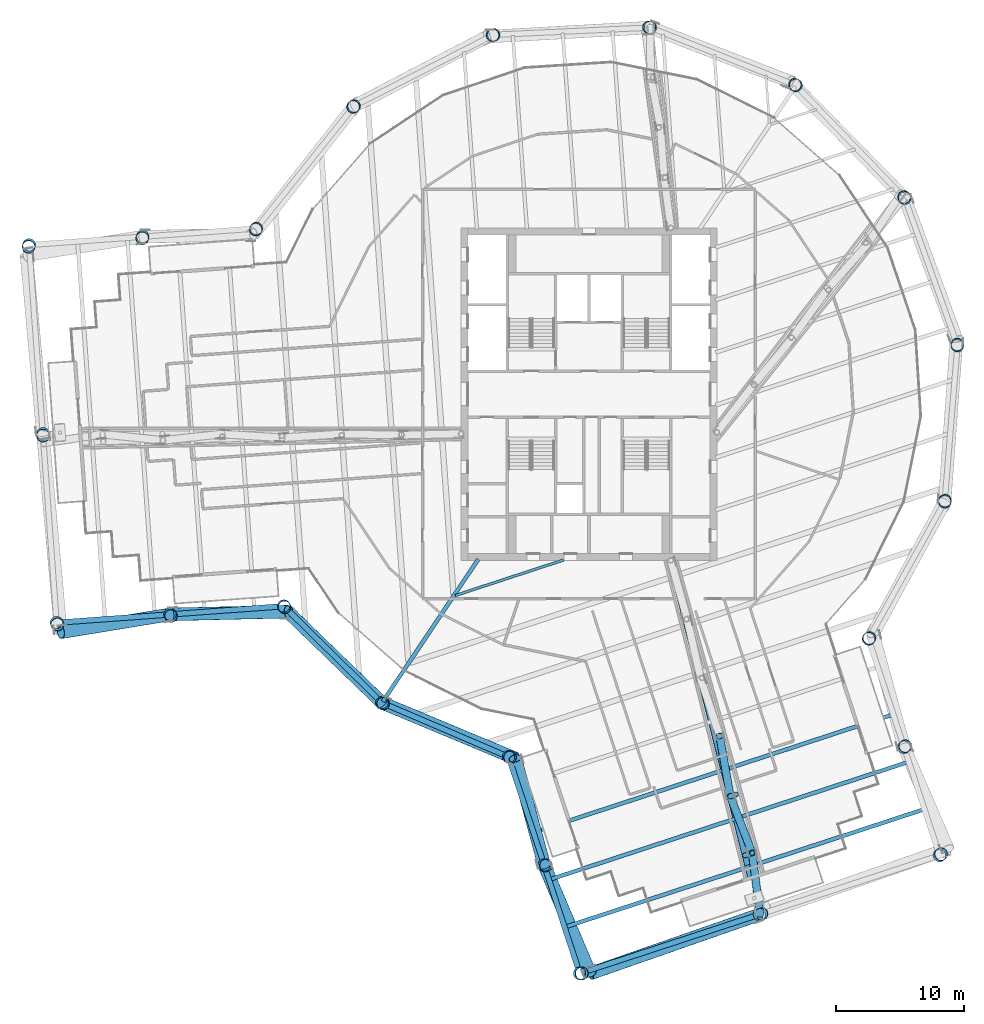
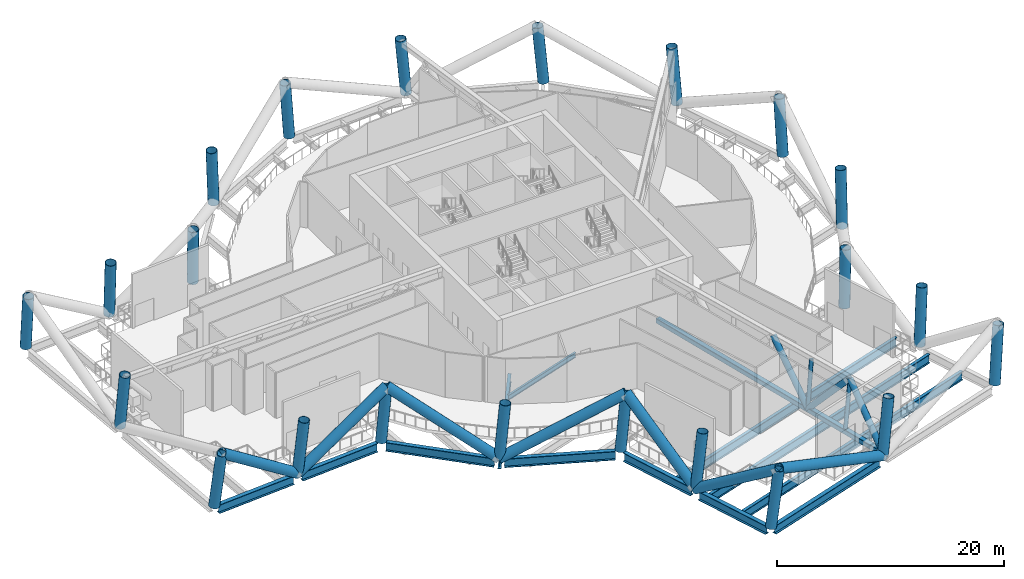
# One storey, part 1 of 33: 22 columns, 13 members, 12 beams.
"""IFC4 building model written with IfcOpenShell, lengths in metres."""

import ifcopenshell
import ifcopenshell.guid

model = None  # the IFC model being written
_history = None  # IfcOwnerHistory: only IFC2X3 demands one
_inside = {}  # id of a spatial element -> (the spatial element, [elements in it])
_under = {}  # id of a project, library or spatial element -> (it, [spatial elements below it])
_declared = {}  # id of a project -> (the project, [libraries it declares])
_typed = {}  # id of a type object -> (the type object, [elements of that type])
_made_of = {}  # id of a material, layer set ... -> (it, [elements and type objects made of it])


def new_model(schema):
    """Start an empty IFC model of exactly this schema.

    Asked for "IFC4X3", IfcOpenShell would pick the latest addendum, in which some entities
    have other attributes; the version numbers below select the first issue.
    IFC2X3 requires an IfcOwnerHistory on every rooted entity: one is made here for all.
    """
    global model, _history
    if schema == "IFC4X3":
        model = ifcopenshell.file(schema_version=(4, 3, 0, 0))
    else:
        model = ifcopenshell.file(schema=schema)
    _inside.clear()
    _under.clear()
    _declared.clear()
    _typed.clear()
    _made_of.clear()
    _history = None
    if model.schema == "IFC2X3":
        org = make("IfcOrganization", Name="unknown")
        user = make(
            "IfcPersonAndOrganization",
            ThePerson=make("IfcPerson", FamilyName="unknown"),
            TheOrganization=org,
        )
        app = make(
            "IfcApplication",
            ApplicationDeveloper=org,
            Version="unknown",
            ApplicationFullName="unknown",
            ApplicationIdentifier="unknown",
        )
        _history = make(
            "IfcOwnerHistory",
            OwningUser=user,
            OwningApplication=app,
            ChangeAction="ADDED",
            CreationDate=0,
        )
    return model


def make(cls, **values):
    """One entity of the class cls with the attributes given. An attribute that is None is left unset."""
    return model.create_entity(
        cls, **{name: value for name, value in values.items() if value is not None}
    )


def rooted(cls, **values):
    """An entity with a GlobalId (a new one), such as an element, a storey or a relation."""
    return make(cls, GlobalId=ifcopenshell.guid.new(), OwnerHistory=_history, **values)


def si_unit(unit_type, name, prefix=None):
    """IfcSIUnit, for example si_unit("LENGTHUNIT", "METRE", prefix="MILLI")."""
    return make("IfcSIUnit", UnitType=unit_type, Prefix=prefix, Name=name)


def assignment(units):
    """IfcUnitAssignment: the units of a project."""
    return None if units is None else make("IfcUnitAssignment", Units=units)


def point(xyz):
    """IfcCartesianPoint."""
    return None if xyz is None else make("IfcCartesianPoint", Coordinates=xyz)


def direction(xyz):
    """IfcDirection."""
    return None if xyz is None else make("IfcDirection", DirectionRatios=xyz)


def frame(location, z_axis=None, x_axis=None):
    """IfcAxis2Placement3D, a coordinate frame: its origin and axes. An axis left out is left unset."""
    return make(
        "IfcAxis2Placement3D",
        Location=point(location),
        Axis=direction(z_axis),
        RefDirection=direction(x_axis),
    )


def frame_2d(location, x_axis=None):
    """IfcAxis2Placement2D, a coordinate frame in the plane: its origin and x axis."""
    return make(
        "IfcAxis2Placement2D", Location=point(location), RefDirection=direction(x_axis)
    )


def origin():
    """The frame at (0, 0, 0) with its axes left unset."""
    return frame((0.0, 0.0, 0.0))


def origin_2d():
    """The frame at (0, 0) in the plane with its x axis left unset."""
    return frame_2d((0.0, 0.0))


def place(relative_to, where):
    """IfcLocalPlacement: puts the frame where relative to a parent placement (None: the world)."""
    return make(
        "IfcLocalPlacement", PlacementRelTo=relative_to, RelativePlacement=where
    )


def context(
    kind, dimensions, precision=None, world=None, true_north=None, identifier=None
):
    """IfcGeometricRepresentationContext, for example the 3D "Model" context."""
    return make(
        "IfcGeometricRepresentationContext",
        ContextIdentifier=identifier,
        ContextType=kind,
        CoordinateSpaceDimension=dimensions,
        Precision=precision,
        WorldCoordinateSystem=world,
        TrueNorth=true_north,
    )


def subcontext(parent, identifier, kind, view, scale=None):
    """IfcGeometricRepresentationSubContext, for example "Body" below "Model"."""
    return make(
        "IfcGeometricRepresentationSubContext",
        ContextIdentifier=identifier,
        ContextType=kind,
        ParentContext=parent,
        TargetScale=scale,
        TargetView=view,
    )


def project(units=None, contexts=None):
    """IfcProject with its units and contexts."""
    return rooted(
        "IfcProject",
        Name="project",
        RepresentationContexts=contexts,
        UnitsInContext=assignment(units),
    )


def spatial(cls, under=None, at=None, **own):
    """A site, building, storey or space (cls), placed at a placement, below another one or the project."""
    s = rooted(cls, ObjectPlacement=at, **own)
    if under is not None:
        _under.setdefault(under.id(), (under, []))[1].append(s)
    return s


def profile(cls, at=None, kind="AREA", **sizes):
    """A parametric profile (cls). Its sizes go by their IFC names, for example OverallWidth=200.0."""
    return make(cls, ProfileType=kind, Position=at, **sizes)


def hollow_rectangle(**sizes):
    """IfcRectangleHollowProfileDef."""
    return profile("IfcRectangleHollowProfileDef", **sizes)


def hollow_circle(**sizes):
    """IfcCircleHollowProfileDef."""
    return profile("IfcCircleHollowProfileDef", **sizes)


def i_section(**sizes):
    """IfcIShapeProfileDef."""
    return profile("IfcIShapeProfileDef", **sizes)


def extrude(swept, where, along, depth):
    """IfcExtrudedAreaSolid: the profile swept, set in the frame where, extruded along a direction by depth."""
    return make(
        "IfcExtrudedAreaSolid",
        SweptArea=swept,
        Position=where,
        ExtrudedDirection=direction(along),
        Depth=depth,
    )


def shape(context_of_items, identifier, shape_type, items):
    """IfcShapeRepresentation: the items that make up one representation, for example the "Body"."""
    return make(
        "IfcShapeRepresentation",
        ContextOfItems=context_of_items,
        RepresentationIdentifier=identifier,
        RepresentationType=shape_type,
        Items=items,
    )


def material(Name=None, Category=None):
    """IfcMaterial."""
    return make("IfcMaterial", Name=Name, Category=Category)


def material_profile(
    of_material, cross_section, Name=None, Category=None, Priority=None
):
    """IfcMaterialProfile: a cross section and its material."""
    return make(
        "IfcMaterialProfile",
        Name=Name,
        Material=of_material,
        Profile=cross_section,
        Priority=Priority,
        Category=Category,
    )


def profile_set(profiles, Name=None, composite=None):
    """IfcMaterialProfileSet."""
    return make(
        "IfcMaterialProfileSet",
        Name=Name,
        MaterialProfiles=profiles,
        CompositeProfile=composite,
    )


def made_of(thing, what):
    """Note that an element or type object is made of a material, layer set ...; save() writes the relation."""
    if what is not None:
        _made_of.setdefault(what.id(), (what, []))[1].append(thing)
    return thing


def type_object(cls, material=None, **own):
    """A type object (cls), such as IfcWallType, which elements share."""
    return made_of(rooted(cls, **own), material)


def element(
    cls,
    number,
    at=None,
    inside=None,
    cuts=None,
    type_object=None,
    material=None,
    context=None,
    identifier="Body",
    shape_type=None,
    held_by="IfcProductDefinitionShape",
    body=None,
    shapes=None,
    **own,
):
    """One element of the class cls, such as IfcWall. Its Tag is "e" and its number.

    at: its placement. inside: the storey or other place that contains it. cuts: it is an
    opening in that element (IfcRelVoidsElement). A single representation is given by context,
    identifier, shape_type and body (its items); several are given by shapes. held_by: the class
    of the entity that holds the representations. save() writes the other relations.
    """
    e = rooted(cls, Tag="e%d" % number, ObjectPlacement=at, **own)
    if body is not None:
        shapes = [shape(context, identifier, shape_type, body)]
    if shapes is not None:
        e.Representation = make(held_by, Representations=shapes)
    if inside is not None:
        _inside.setdefault(inside.id(), (inside, []))[1].append(e)
    if cuts is not None:
        rooted(
            "IfcRelVoidsElement", RelatingBuildingElement=cuts, RelatedOpeningElement=e
        )
    if type_object is not None:
        _typed.setdefault(type_object.id(), (type_object, []))[1].append(e)
    return made_of(e, material)


def aggregate(whole, parts):
    """IfcRelAggregates: a whole, such as a stair, and the parts it consists of."""
    return rooted("IfcRelAggregates", RelatingObject=whole, RelatedObjects=parts)


def save(model, path):
    """Write the relations noted so far, then the file.

    IfcRelAggregates (storeys below a building ...), IfcRelContainedInSpatialStructure (elements
    in a storey), IfcRelDefinesByType, IfcRelAssociatesMaterial and IfcRelDeclares: one each for
    every whole, place, type object, material and project.
    """
    for whole, parts in _under.values():
        aggregate(whole, parts)
    for where, things in _inside.values():
        rooted(
            "IfcRelContainedInSpatialStructure",
            RelatedElements=things,
            RelatingStructure=where,
        )
    for kind, things in _typed.values():
        rooted("IfcRelDefinesByType", RelatedObjects=things, RelatingType=kind)
    for what, things in _made_of.values():
        rooted("IfcRelAssociatesMaterial", RelatedObjects=things, RelatingMaterial=what)
    for by, libraries in _declared.values():
        rooted("IfcRelDeclares", RelatingContext=by, RelatedDefinitions=libraries)
    model.write(path)


model = new_model("IFC4")

# Units and contexts
model_context = context("Model", 3, precision=1e-05, world=origin(), true_north=direction((0.0, 1.0)))
body_context = subcontext(model_context, "Body", "Model", "MODEL_VIEW")
ifc_project = project(units=[si_unit("LENGTHUNIT", "METRE"), si_unit("AREAUNIT", "SQUARE_METRE"), si_unit("VOLUMEUNIT", "CUBIC_METRE"), si_unit("PLANEANGLEUNIT", "RADIAN"), si_unit("MASSUNIT", "GRAM", prefix="KILO")], contexts=[model_context])

# Site, building, storey
site_placement = place(None, origin())
site = spatial("IfcSite", under=ifc_project, at=site_placement, CompositionType="ELEMENT")
building_placement = place(site_placement, origin())
building = spatial("IfcBuilding", under=site, at=building_placement, Name="Tarsis Ring Headquarters", CompositionType="ELEMENT")
storey_placement = place(building_placement, frame((0.0, 0.0, 302.0)))
storey = spatial("IfcBuildingStorey", under=building, at=storey_placement, Name="L71", CompositionType="ELEMENT", Elevation=302.0)

# Columns
ifc_material = material(Name="Structural steel S355", Category="steel")
ifc_material_profile_1 = material_profile(ifc_material, hollow_circle(Radius=0.508056640625, WallThickness=0.0400390625, at=origin_2d()), Name="CHS 1016x40")
ifc_profile_set_1 = profile_set([ifc_material_profile_1], Name="Structural steel S355")
column_type = type_object("IfcColumnType", Name="XC Exo column CHS 1016x40", PredefinedType="COLUMN", material=ifc_profile_set_1)
for number, where, z_axis, x_axis, name in (
    (1, (-16.175048828125, -24.12841796875, 0.016845703125), (0.073119601882, -0.048094275486, 0.996162870461), (0.549530965682, 0.835473349519, 0.0), "Exo column XC6 F1"),
    (2, (-6.27099609375, -28.363525390625, 0.016845703125), (0.085632166215, -0.018137227018, 0.996161720357), (0.207207142282, 0.978297091986, 0.0), "Exo column XC6 AK"),
):
    element("IfcColumn", number, at=place(storey_placement, frame(where, z_axis=z_axis, x_axis=x_axis)), inside=storey, type_object=column_type, Name=name, PredefinedType="COLUMN", context=body_context, shape_type="SweptSolid", body=[
        extrude(hollow_circle(Radius=0.508056640625, WallThickness=0.0400390625, at=origin_2d()), origin(), (0.0, 0.0, 1.0), 5.989990234375),
    ])
column_1_placement = place(storey_placement, frame((-3.495361328125, -36.822265625, 0.021240234375), z_axis=(0.110757229165, -0.009528379274, 0.993801814335), x_axis=(0.08571281365, 0.996319885165, 0.0)))
element("IfcColumn", 3, at=column_1_placement, inside=storey, type_object=column_type, Name="Exo column XC6 AI1", PredefinedType="COLUMN", context=body_context, shape_type="SweptSolid", body=[
    extrude(hollow_circle(Radius=0.508056640625, WallThickness=0.0400390625, at=origin_2d()), origin(), (0.0, 0.0, 1.0), 5.99560546875),
])
column_2_placement = place(storey_placement, frame((-0.7197265625, -45.281005859375, 0.025634765625), z_axis=(0.135738987142, -0.000935009495, 0.990744191569), x_axis=(0.006888126493, 0.999976276575, 0.0)))
element("IfcColumn", 4, at=column_2_placement, inside=storey, type_object=column_type, Name="Exo column XC6 AT1", PredefinedType="COLUMN", context=body_context, shape_type="SweptSolid", body=[
    extrude(hollow_circle(Radius=0.508056640625, WallThickness=0.0400390625, at=origin_2d()), origin(), (0.0, 0.0, 1.0), 6.005615234375),
])
column_3_placement = place(storey_placement, frame((13.342529296875, -40.667236328125, 0.024169921875), z_axis=(0.12165653703, 0.041162292034, 0.991718383773), x_axis=(-0.320499999287, 0.947248515679, 0.0)))
element("IfcColumn", 5, at=column_3_placement, inside=storey, type_object=column_type, Name="Exo column XC6 AT2", PredefinedType="COLUMN", context=body_context, shape_type="SweptSolid", body=[
    extrude(hollow_circle(Radius=0.508056640625, WallThickness=0.0400390625, at=origin_2d()), origin(), (0.0, 0.0, 1.0), 6.00244140625),
])
column_4_placement = place(storey_placement, frame((27.405029296875, -36.05322265625, 0.025634765625), z_axis=(0.107322998746, 0.083094018726, 0.990745758503), x_axis=(-0.612197356124, 0.790705000082, 0.0)))
element("IfcColumn", 6, at=column_4_placement, inside=storey, type_object=column_type, Name="Exo column XC6 AT3", PredefinedType="COLUMN", context=body_context, shape_type="SweptSolid", body=[
    extrude(hollow_circle(Radius=0.508056640625, WallThickness=0.0400390625, at=origin_2d()), origin(), (0.0, 0.0, 1.0), 6.005615234375),
])
column_5_placement = place(storey_placement, frame((24.629638671875, -27.594970703125, 0.021240234375), z_axis=(0.082293850664, 0.074801486229, 0.993796991242), x_axis=(-0.672618118132, 0.739989775038, 0.0)))
element("IfcColumn", 7, at=column_5_placement, inside=storey, type_object=column_type, Name="Exo column XC6 AO1", PredefinedType="COLUMN", context=body_context, shape_type="SweptSolid", body=[
    extrude(hollow_circle(Radius=0.508056640625, WallThickness=0.0400390625, at=origin_2d()), origin(), (0.0, 0.0, 1.0), 5.99560546875),
])
for number, where, z_axis, x_axis, name in (
    (8, (21.854248046875, -19.13671875, 0.016845703125), (0.057060871871, 0.066394400199, 0.996160549572), (-0.758401503633, 0.651787664264, 0.0), "Exo column XC6 AJ"),
    (9, (27.79931640625, -8.42724609375, 0.016845703125), (0.02461771301, 0.084001831975, 0.996161463032), (-0.959639377435, 0.281233471116, 0.0), "Exo column XC6 R1"),
    (10, (28.801513671875, 3.780517578125, 0.016845703125), (-0.012186573045, 0.086691775471, 0.996160641414), (-0.990263599556, -0.139204897164, 0.0), "Exo column XC6 R2"),
    (11, (24.6826171875, 15.316162109375, 0.016845703125), (-0.046830783325, 0.073934761489, 0.996162902731), (-0.844791006454, -0.535096398245, 0.0), "Exo column XC6 R3"),
    (12, (16.175048828125, 24.12841796875, 0.016845703125), (-0.073119601882, 0.048094275486, 0.996162870461), (-0.549530965682, -0.835473349519, 0.0), "Exo column XC6 R4"),
    (13, (4.791748046875, 28.650634765625, 0.016845703125), (-0.086487873194, 0.013653834835, 0.996159334938), (-0.15593866996, -0.987766739271, 0.0), "Exo column XC6 R5"),
    (14, (-7.44384765625, 28.07861328125, 0.016845703125), (-0.084409391426, -0.0231911848, 0.996161243769), (0.264929219316, -0.964267861516, 0.0), "Exo column XC6 R6"),
    (15, (-18.355712890625, 22.51416015625, 0.016845703125), (-0.0673317957, -0.055960384683, 0.996160059746), (0.639176466902, -0.769060104386, 0.0), "Exo column XC6 R7"),
    (16, (-26.00390625, 12.946533203125, 0.016845703125), (-0.038312217489, -0.078743834243, 0.996158412382), (0.899215293892, -0.437506405931, 0.0), "Exo column XC6 BJ"),
):
    element("IfcColumn", number, at=place(storey_placement, frame(where, z_axis=z_axis, x_axis=x_axis)), inside=storey, type_object=column_type, Name=name, PredefinedType="COLUMN", context=body_context, shape_type="SweptSolid", body=[
        extrude(hollow_circle(Radius=0.508056640625, WallThickness=0.0400390625, at=origin_2d()), origin(), (0.0, 0.0, 1.0), 5.989990234375),
    ])
column_6_placement = place(storey_placement, frame((-34.8828125, 12.2998046875, 0.021240234375), z_axis=(-0.036036606183, -0.105218746189, 0.993795944078), x_axis=(0.946051799948, -0.3240154191, 0.0)))
element("IfcColumn", 17, at=column_6_placement, inside=storey, type_object=column_type, Name="Exo column XC6 BO1", PredefinedType="COLUMN", context=body_context, shape_type="SweptSolid", body=[
    extrude(hollow_circle(Radius=0.508056640625, WallThickness=0.0400390625, at=origin_2d()), origin(), (0.0, 0.0, 1.0), 5.99560546875),
])
column_7_placement = place(storey_placement, frame((-43.76171875, 11.65283203125, 0.025634765625), z_axis=(-0.033741697018, -0.131470660428, 0.990745660263), x_axis=(0.96860841172, -0.24859152187, 0.0)))
element("IfcColumn", 18, at=column_7_placement, inside=storey, type_object=column_type, Name="Exo column XC6 BT3", PredefinedType="COLUMN", context=body_context, shape_type="SweptSolid", body=[
    extrude(hollow_circle(Radius=0.508056640625, WallThickness=0.0400390625, at=origin_2d()), origin(), (0.0, 0.0, 1.0), 6.005615234375),
])
column_8_placement = place(storey_placement, frame((-42.68701171875, -3.10791015625, 0.024169921875), z_axis=(0.010493999095, -0.127961709896, 0.991723588901), x_axis=(0.996654137565, 0.081734509692, 0.0)))
element("IfcColumn", 19, at=column_8_placement, inside=storey, type_object=column_type, Name="Exo column XC6 BT2", PredefinedType="COLUMN", context=body_context, shape_type="SweptSolid", body=[
    extrude(hollow_circle(Radius=0.508056640625, WallThickness=0.0400390625, at=origin_2d()), origin(), (0.0, 0.0, 1.0), 6.002197265625),
])
column_9_placement = place(storey_placement, frame((-41.6123046875, -17.868896484375, 0.025634765625), z_axis=(0.054677787411, -0.124234437418, 0.990745246834), x_axis=(0.915275281844, 0.402828944398, 0.0)))
element("IfcColumn", 20, at=column_9_placement, inside=storey, type_object=column_type, Name="Exo column XC6 BT1", PredefinedType="COLUMN", context=body_context, shape_type="SweptSolid", body=[
    extrude(hollow_circle(Radius=0.508056640625, WallThickness=0.0400390625, at=origin_2d()), origin(), (0.0, 0.0, 1.0), 6.005615234375),
])
column_10_placement = place(storey_placement, frame((-32.733642578125, -17.22216796875, 0.021240234375), z_axis=(0.052650284784, -0.097930344088, 0.993799574974), x_axis=(0.880776666228, 0.47353190413, 0.0)))
element("IfcColumn", 21, at=column_10_placement, inside=storey, type_object=column_type, Name="Exo column XC6 BI1", PredefinedType="COLUMN", context=body_context, shape_type="SweptSolid", body=[
    extrude(hollow_circle(Radius=0.508056640625, WallThickness=0.0400390625, at=origin_2d()), origin(), (0.0, 0.0, 1.0), 5.99560546875),
])
column_11_placement = place(storey_placement, frame((-23.855224609375, -16.575439453125, 0.016845703125), z_axis=(0.05062106367, -0.071448248482, 0.996158951022), x_axis=(0.815960441001, 0.578107739717, 0.0)))
element("IfcColumn", 22, at=column_11_placement, inside=storey, type_object=column_type, Name="Exo column XC6 BK", PredefinedType="COLUMN", context=body_context, shape_type="SweptSolid", body=[
    extrude(hollow_circle(Radius=0.508056640625, WallThickness=0.0400390625, at=origin_2d()), origin(), (0.0, 0.0, 1.0), 5.989990234375),
])

# Beams
ifc_material_profile_2 = material_profile(ifc_material, i_section(OverallWidth=0.209228515625, OverallDepth=0.533447265625, WebThickness=0.01025390625, FlangeThickness=0.015625, at=origin_2d()), Name="W21x62")
ifc_profile_set_2 = profile_set([ifc_material_profile_2], Name="Structural steel S355")
beam_type_1 = type_object("IfcBeamType", Name="FB Floor beam W21x62", PredefinedType="JOIST", material=ifc_profile_set_2)
beam_1_placement = place(storey_placement, frame((-10.438720703125, -15.7373046875, -0.566650390625), z_axis=(0.950186847139, 0.311680855242, 0.0), x_axis=(-0.311680855242, 0.950186847139, 0.0)))
element("IfcBeam", 23, at=beam_1_placement, inside=storey, type_object=beam_type_1, Name="Floor beam FB3", PredefinedType="JOIST", context=body_context, shape_type="SweptSolid", body=[
    extrude(i_section(OverallWidth=0.209228515625, OverallDepth=0.533447265625, WebThickness=0.01025390625, FlangeThickness=0.015625, at=origin_2d()), origin(), (0.0, 0.0, 1.0), 8.882568359375),
])
ifc_material_profile_3 = material_profile(ifc_material, i_section(OverallWidth=0.309814453125, OverallDepth=0.949951171875, WebThickness=0.0244140625, FlangeThickness=0.0439453125, at=origin_2d()), Name="W36x256")
ifc_profile_set_3 = profile_set([ifc_material_profile_3], Name="Structural steel S355")
beam_type_2 = type_object("IfcBeamType", Name="FB Floor beam W36x256", PredefinedType="JOIST", material=ifc_profile_set_3)
for number, where, z_axis, x_axis, name in (
    (24, (-4.232177734375, -34.2236328125, -0.77490234375), (0.950190772048, 0.311668889553, 0.0), (-0.311668889553, 0.950190772048, 0.0), "Floor beam FB11"),
    (25, (-3.0166015625, -37.929443359375, -0.77490234375), (0.950190772048, 0.311668889553, 0.0), (-0.311668889553, 0.950190772048, 0.0), "Floor beam FB11"),
):
    element("IfcBeam", number, at=place(storey_placement, frame(where, z_axis=z_axis, x_axis=x_axis)), inside=storey, type_object=beam_type_2, Name=name, PredefinedType="JOIST", context=body_context, shape_type="SweptSolid", body=[
        extrude(i_section(OverallWidth=0.309814453125, OverallDepth=0.949951171875, WebThickness=0.0244140625, FlangeThickness=0.0439453125, at=origin_2d()), origin(), (0.0, 0.0, 1.0), 29.375732421875),
    ])
beam_2_placement = place(storey_placement, frame((-1.801025390625, -41.63525390625, -0.77490234375), z_axis=(0.95018831078, 0.311676393168, 0.0), x_axis=(-0.311676393168, 0.95018831078, 0.0)))
element("IfcBeam", 26, at=beam_2_placement, inside=storey, type_object=beam_type_2, Name="Floor beam FB11", PredefinedType="JOIST", context=body_context, shape_type="SweptSolid", body=[
    extrude(i_section(OverallWidth=0.309814453125, OverallDepth=0.949951171875, WebThickness=0.0244140625, FlangeThickness=0.0439453125, at=origin_2d()), origin(), (0.0, 0.0, 1.0), 29.3759765625),
])
beam_type_3 = type_object("IfcBeamType", Name="FB Floor beam W36x256 spine", PredefinedType="BEAM", material=ifc_profile_set_3)
beam_3_placement = place(storey_placement, frame((-8.66015625, -12.9169921875, -0.77490234375), z_axis=(-0.556879290966, -0.830593435619, 0.0), x_axis=(0.830593435619, -0.556879290966, 0.0)))
element("IfcBeam", 27, at=beam_3_placement, inside=storey, type_object=beam_type_3, Name="Floor beam SB11", PredefinedType="BEAM", context=body_context, shape_type="SweptSolid", body=[
    extrude(i_section(OverallWidth=0.309814453125, OverallDepth=0.949951171875, WebThickness=0.0244140625, FlangeThickness=0.0439453125, at=origin_2d()), origin(), (0.0, 0.0, 1.0), 13.381103515625),
])

# Members
ifc_material_profile_4 = material_profile(ifc_material, hollow_rectangle(XDim=0.508056640625, YDim=0.508056640625, WallThickness=0.025390625, InnerFilletRadius=0.025390625, OuterFilletRadius=0.05078125, at=origin_2d()), Name="HSS 508x508x25")
ifc_profile_set_4 = profile_set([ifc_material_profile_4], Name="Structural steel S355")
member_type_1 = type_object("IfcMemberType", Name="OC Outrigger chord HSS 508x508x25", PredefinedType="CHORD", material=ifc_profile_set_4)
member_1_placement = place(storey_placement, frame((6.39990234375, -13.0, 0.25390625), z_axis=(0.244392098283, -0.969676493629, 0.0), x_axis=(0.969676493629, 0.244392098283, 0.0)))
element("IfcMember", 28, at=member_1_placement, inside=storey, type_object=member_type_1, Name="Outrigger chord OC1", PredefinedType="CHORD", context=body_context, shape_type="SweptSolid", body=[
    extrude(hollow_rectangle(XDim=0.508056640625, YDim=0.508056640625, WallThickness=0.025390625, InnerFilletRadius=0.025390625, OuterFilletRadius=0.05078125, at=origin_2d()), origin(), (0.0, 0.0, 1.0), 28.522705078125),
])
ifc_material_profile_5 = material_profile(ifc_material, hollow_circle(Radius=0.3046875, WallThickness=0.02490234375, at=origin_2d()), Name="CHS 610x25")
ifc_profile_set_5 = profile_set([ifc_material_profile_5], Name="Structural steel S355")
member_type_2 = type_object("IfcMemberType", Name="OD Outrigger diagonal CHS 610x25", PredefinedType="BRACE", material=ifc_profile_set_5)
member_2_placement = place(storey_placement, frame((10.21240234375, -26.71826171875, 5.5859375), z_axis=(0.116419279533, -0.658335873207, -0.743666880668), x_axis=(0.984721454598, 0.174136891138, 0.0)))
element("IfcMember", 29, at=member_2_placement, inside=storey, type_object=member_type_2, Name="Outrigger diagonal OD1", PredefinedType="BRACE", context=body_context, shape_type="SweptSolid", body=[
    extrude(hollow_circle(Radius=0.3046875, WallThickness=0.02490234375, at=origin_2d()), origin(), (0.0, 0.0, 1.0), 7.169921875),
])
member_3_placement = place(storey_placement, frame((11.047119140625, -31.4384765625, 0.25390625), z_axis=(0.239169472171, -0.620109548358, 0.747169399545), x_axis=(0.933009558858, 0.359851584794, 0.0)))
element("IfcMember", 30, at=member_3_placement, inside=storey, type_object=member_type_2, Name="Outrigger diagonal OD1", PredefinedType="BRACE", context=body_context, shape_type="SweptSolid", body=[
    extrude(hollow_circle(Radius=0.3046875, WallThickness=0.02490234375, at=origin_2d()), origin(), (0.0, 0.0, 1.0), 7.13623046875),
])
member_4_placement = place(storey_placement, frame((12.75390625, -35.86376953125, 5.5859375), z_axis=(0.085691699921, -0.666129144755, -0.740897357988), x_axis=(0.991827011433, 0.127589887496, 0.0)))
element("IfcMember", 31, at=member_4_placement, inside=storey, type_object=member_type_2, Name="Outrigger diagonal OD1", PredefinedType="BRACE", context=body_context, shape_type="SweptSolid", body=[
    extrude(hollow_circle(Radius=0.3046875, WallThickness=0.02490234375, at=origin_2d()), origin(), (0.0, 0.0, 1.0), 7.19677734375),
])
ifc_material_profile_6 = material_profile(ifc_material, hollow_circle(Radius=0.203125, WallThickness=0.01611328125, at=origin_2d()), Name="CHS 406x16")
ifc_profile_set_6 = profile_set([ifc_material_profile_6], Name="Structural steel S355")
member_type_3 = type_object("IfcMemberType", Name="OV Outrigger post CHS 406x16", PredefinedType="STRUT", material=ifc_profile_set_6)
member_5_placement = place(storey_placement, frame((11.047119140625, -31.4384765625, 0.508056640625), z_axis=(0.089980498322, 0.030430134931, 0.995478536589), x_axis=(-0.320361882715, 0.947295235976, 0.0)))
element("IfcMember", 32, at=member_5_placement, inside=storey, type_object=member_type_3, Name="Outrigger post OV1", PredefinedType="STRUT", context=body_context, shape_type="SweptSolid", body=[
    extrude(hollow_circle(Radius=0.203125, WallThickness=0.01611328125, at=origin_2d()), origin(), (0.0, 0.0, 1.0), 4.845947265625),
])
member_6_placement = place(storey_placement, frame((12.208984375, -36.048095703125, 0.508056640625), z_axis=(0.112166478908, 0.037941618089, 0.992964810367), x_axis=(-0.320426280715, 0.947273455042, 0.0)))
element("IfcMember", 33, at=member_6_placement, inside=storey, type_object=member_type_3, Name="Outrigger post OV1", PredefinedType="STRUT", context=body_context, shape_type="SweptSolid", body=[
    extrude(hollow_circle(Radius=0.203125, WallThickness=0.01611328125, at=origin_2d()), origin(), (0.0, 0.0, 1.0), 4.858154296875),
])
member_type_4 = type_object("IfcMemberType", Name="TD Belt truss diagonal CHS 1016x40", PredefinedType="BRACE", material=ifc_profile_set_1)
member_7_placement = place(storey_placement, frame((-16.176513671875, -24.127685546875, 0.0), z_axis=(0.815023465522, -0.339834995137, 0.469306857748), x_axis=(0.384848775002, 0.922979642451, 0.0)))
element("IfcMember", 34, at=member_7_placement, inside=storey, type_object=member_type_4, Name="Belt truss diagonal TD6", PredefinedType="BRACE", context=body_context, shape_type="SweptSolid", body=[
    extrude(hollow_circle(Radius=0.508056640625, WallThickness=0.0400390625, at=origin_2d()), origin(), (0.0, 0.0, 1.0), 12.784912109375),
])
member_8_placement = place(storey_placement, frame((-3.497802734375, -36.822021484375, 0.0), z_axis=(-0.214570650055, 0.793159990476, 0.569961986139), x_axis=(-0.965301112602, -0.26113935362, 0.0)))
element("IfcMember", 35, at=member_8_placement, inside=storey, type_object=member_type_4, Name="Belt truss diagonal TD6", PredefinedType="BRACE", context=body_context, shape_type="SweptSolid", body=[
    extrude(hollow_circle(Radius=0.508056640625, WallThickness=0.0400390625, at=origin_2d()), origin(), (0.0, 0.0, 1.0), 10.527099609375),
])
member_9_placement = place(storey_placement, frame((-3.497802734375, -36.822021484375, 0.0), z_axis=(0.32751244507, -0.770835923089, 0.546395075015), x_axis=(0.920370809721, 0.391046765251, 0.0)))
element("IfcMember", 36, at=member_9_placement, inside=storey, type_object=member_type_4, Name="Belt truss diagonal TD6", PredefinedType="BRACE", context=body_context, shape_type="SweptSolid", body=[
    extrude(hollow_circle(Radius=0.508056640625, WallThickness=0.0400390625, at=origin_2d()), origin(), (0.0, 0.0, 1.0), 10.98095703125),
])
member_10_placement = place(storey_placement, frame((13.339599609375, -40.668212890625, 0.0), z_axis=(-0.868091422512, -0.302787599146, 0.393366180504), x_axis=(0.329338226607, -0.944212016708, 0.0)))
element("IfcMember", 37, at=member_10_placement, inside=storey, type_object=member_type_4, Name="Belt truss diagonal TD6", PredefinedType="BRACE", context=body_context, shape_type="SweptSolid", body=[
    extrude(hollow_circle(Radius=0.508056640625, WallThickness=0.0400390625, at=origin_2d()), origin(), (0.0, 0.0, 1.0), 15.2529296875),
])
member_11_placement = place(storey_placement, frame((-32.73486328125, -17.219970703125, 0.0), z_axis=(-0.811242563763, -0.132700755839, 0.569452379167), x_axis=(0.161431665829, -0.986883892496, 0.0)))
element("IfcMember", 38, at=member_11_placement, inside=storey, type_object=member_type_4, Name="Belt truss diagonal TD6", PredefinedType="BRACE", context=body_context, shape_type="SweptSolid", body=[
    extrude(hollow_circle(Radius=0.508056640625, WallThickness=0.0400390625, at=origin_2d()), origin(), (0.0, 0.0, 1.0), 10.536376953125),
])
member_12_placement = place(storey_placement, frame((-32.73486328125, -17.219970703125, 0.0), z_axis=(0.837002422037, 0.019647839713, 0.546846329327), x_axis=(-0.023467588798, 0.999724598215, 0.0)))
element("IfcMember", 39, at=member_12_placement, inside=storey, type_object=member_type_4, Name="Belt truss diagonal TD6", PredefinedType="BRACE", context=body_context, shape_type="SweptSolid", body=[
    extrude(hollow_circle(Radius=0.508056640625, WallThickness=0.0400390625, at=origin_2d()), origin(), (0.0, 0.0, 1.0), 10.971923828125),
])
member_13_placement = place(storey_placement, frame((-16.176513671875, -24.127685546875, 0.0), z_axis=(-0.620784113366, 0.599616581444, 0.505061421859), x_axis=(-0.694737703812, -0.719263180555, 0.0)))
element("IfcMember", 40, at=member_13_placement, inside=storey, type_object=member_type_4, Name="Belt truss diagonal TD6", PredefinedType="BRACE", context=body_context, shape_type="SweptSolid", body=[
    extrude(hollow_circle(Radius=0.508056640625, WallThickness=0.0400390625, at=origin_2d()), origin(), (0.0, 0.0, 1.0), 11.879638671875),
])

# Beams
ifc_material_profile_7 = material_profile(ifc_material, i_section(OverallWidth=0.42431640625, OverallDepth=0.947509765625, WebThickness=0.02392578125, FlangeThickness=0.042724609375, at=origin_2d()), Name="W36x302")
ifc_profile_set_7 = profile_set([ifc_material_profile_7], Name="Structural steel S355")
beam_type_4 = type_object("IfcBeamType", Name="XG Ring girder W36x302", PredefinedType="BEAM", material=ifc_profile_set_7)
beam_4_placement = place(storey_placement, frame((-15.756103515625, -24.307373046875, -0.4736328125), z_axis=(0.919448373864, -0.393210742221, 0.0), x_axis=(0.393210742221, 0.919448373864, 0.0)))
element("IfcBeam", 41, at=beam_4_placement, inside=storey, type_object=beam_type_4, Name="Ring girder XG1", PredefinedType="BEAM", context=body_context, shape_type="SweptSolid", body=[
    extrude(i_section(OverallWidth=0.42431640625, OverallDepth=0.947509765625, WebThickness=0.02392578125, FlangeThickness=0.042724609375, at=origin_2d()), origin(), (0.0, 0.0, 1.0), 9.857177734375),
])
beam_5_placement = place(storey_placement, frame((-6.1298828125, -28.797607421875, -0.4736328125), z_axis=(0.311657888538, -0.950194380383, 0.0), x_axis=(0.950194380383, 0.311657888538, 0.0)))
element("IfcBeam", 42, at=beam_5_placement, inside=storey, type_object=beam_type_4, Name="Ring girder XG1", PredefinedType="BEAM", context=body_context, shape_type="SweptSolid", body=[
    extrude(i_section(OverallWidth=0.42431640625, OverallDepth=0.947509765625, WebThickness=0.02392578125, FlangeThickness=0.042724609375, at=origin_2d()), origin(), (0.0, 0.0, 1.0), 7.988037109375),
])
beam_6_placement = place(storey_placement, frame((-3.355224609375, -37.256591796875, -0.4736328125), z_axis=(0.311666939781, -0.950191411584, 0.0), x_axis=(0.950191411584, 0.311666939781, 0.0)))
element("IfcBeam", 43, at=beam_6_placement, inside=storey, type_object=beam_type_4, Name="Ring girder XG1", PredefinedType="BEAM", context=body_context, shape_type="SweptSolid", body=[
    extrude(i_section(OverallWidth=0.42431640625, OverallDepth=0.947509765625, WebThickness=0.02392578125, FlangeThickness=0.042724609375, at=origin_2d()), origin(), (0.0, 0.0, 1.0), 7.98779296875),
])
beam_7_placement = place(storey_placement, frame((-0.288818359375, -45.138427734375, -0.4736328125), z_axis=(0.950186269206, 0.311682617117, 0.0), x_axis=(-0.311682617117, 0.950186269206, 0.0)))
element("IfcBeam", 44, at=beam_7_placement, inside=storey, type_object=beam_type_4, Name="Ring girder XG1", PredefinedType="BEAM", context=body_context, shape_type="SweptSolid", body=[
    extrude(i_section(OverallWidth=0.42431640625, OverallDepth=0.947509765625, WebThickness=0.02392578125, FlangeThickness=0.042724609375, at=origin_2d()), origin(), (0.0, 0.0, 1.0), 13.885498046875),
])
for number, where, z_axis, x_axis, name in (
    (45, (-41.15771484375, -17.83251953125, -0.4736328125), (0.997366339567, 0.072528509555, 0.0), (-0.072528509555, 0.997366339567, 0.0), "Ring girder XG1"),
    (46, (-32.27880859375, -17.186767578125, -0.4736328125), (0.997366339567, 0.072528509555, 0.0), (-0.072528509555, 0.997366339567, 0.0), "Ring girder XG1"),
):
    element("IfcBeam", number, at=place(storey_placement, frame(where, z_axis=z_axis, x_axis=x_axis)), inside=storey, type_object=beam_type_4, Name=name, PredefinedType="BEAM", context=body_context, shape_type="SweptSolid", body=[
        extrude(i_section(OverallWidth=0.42431640625, OverallDepth=0.947509765625, WebThickness=0.02392578125, FlangeThickness=0.042724609375, at=origin_2d()), origin(), (0.0, 0.0, 1.0), 7.98779296875),
    ])
beam_8_placement = place(storey_placement, frame((-23.530029296875, -16.894775390625, -0.4736328125), z_axis=(0.712940095345, -0.701224942832, 0.0), x_axis=(0.701224942832, 0.712940095345, 0.0)))
element("IfcBeam", 47, at=beam_8_placement, inside=storey, type_object=beam_type_4, Name="Ring girder XG1", PredefinedType="BEAM", context=body_context, shape_type="SweptSolid", body=[
    extrude(i_section(OverallWidth=0.42431640625, OverallDepth=0.947509765625, WebThickness=0.02392578125, FlangeThickness=0.042724609375, at=origin_2d()), origin(), (0.0, 0.0, 1.0), 9.857177734375),
])

save(model, "model.ifc")
